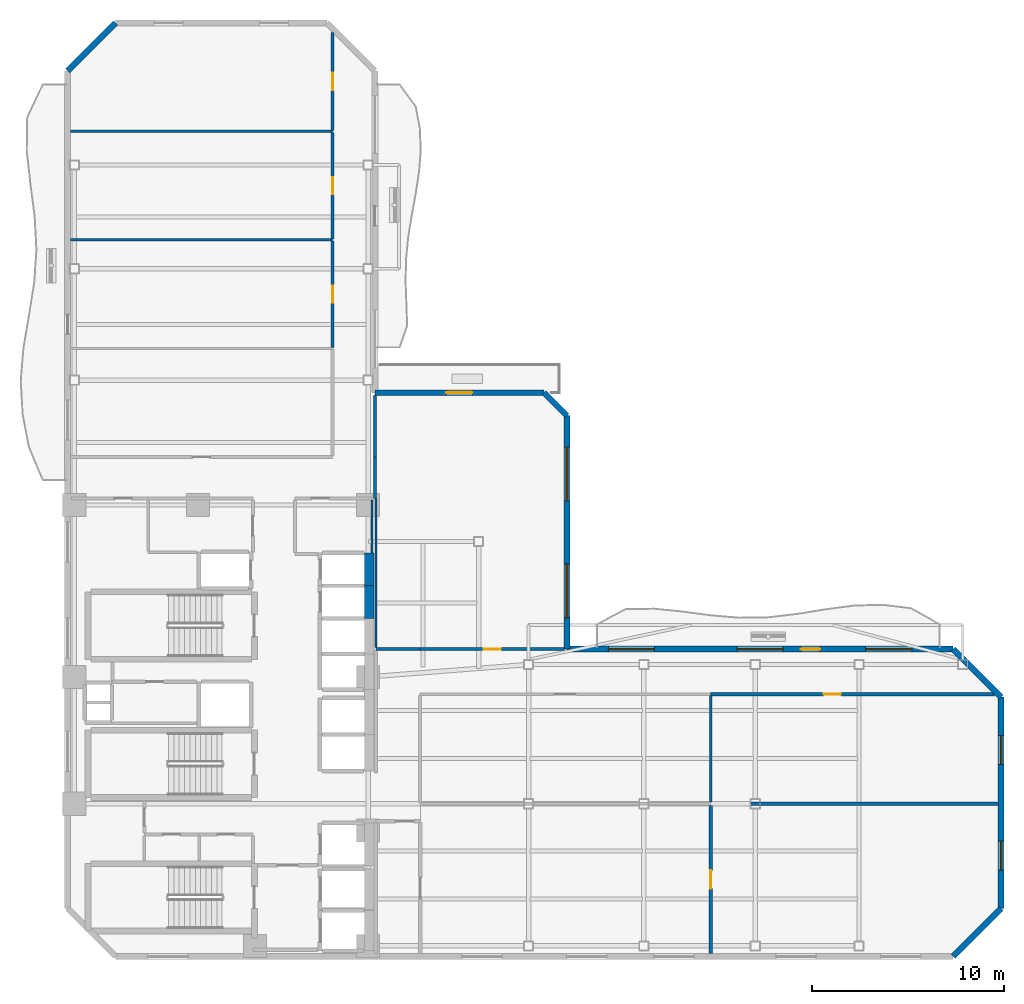
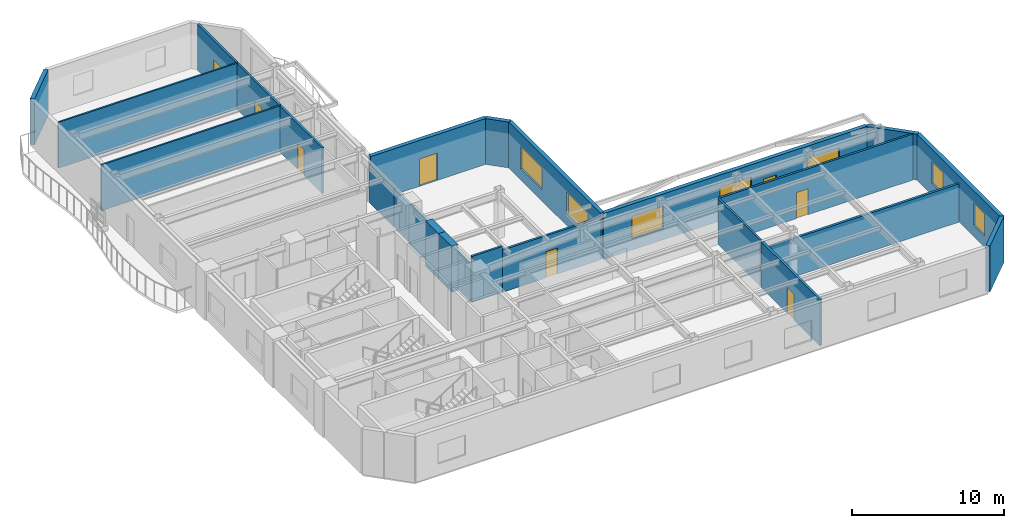
# One storey, part 5 of 9: 25 walls, 8 doors, 7 windows, 15 openings.
"""IFC4 building model written with IfcOpenShell, lengths in metres."""

import ifcopenshell
import ifcopenshell.guid

model = None  # the IFC model being written
_history = None  # IfcOwnerHistory: only IFC2X3 demands one
_inside = {}  # id of a spatial element -> (the spatial element, [elements in it])
_under = {}  # id of a project, library or spatial element -> (it, [spatial elements below it])
_declared = {}  # id of a project -> (the project, [libraries it declares])
_typed = {}  # id of a type object -> (the type object, [elements of that type])
_made_of = {}  # id of a material, layer set ... -> (it, [elements and type objects made of it])


def new_model(schema):
    """Start an empty IFC model of exactly this schema.

    Asked for "IFC4X3", IfcOpenShell would pick the latest addendum, in which some entities
    have other attributes; the version numbers below select the first issue.
    IFC2X3 requires an IfcOwnerHistory on every rooted entity: one is made here for all.
    """
    global model, _history
    if schema == "IFC4X3":
        model = ifcopenshell.file(schema_version=(4, 3, 0, 0))
    else:
        model = ifcopenshell.file(schema=schema)
    _inside.clear()
    _under.clear()
    _declared.clear()
    _typed.clear()
    _made_of.clear()
    _history = None
    if model.schema == "IFC2X3":
        org = make("IfcOrganization", Name="unknown")
        user = make(
            "IfcPersonAndOrganization",
            ThePerson=make("IfcPerson", FamilyName="unknown"),
            TheOrganization=org,
        )
        app = make(
            "IfcApplication",
            ApplicationDeveloper=org,
            Version="unknown",
            ApplicationFullName="unknown",
            ApplicationIdentifier="unknown",
        )
        _history = make(
            "IfcOwnerHistory",
            OwningUser=user,
            OwningApplication=app,
            ChangeAction="ADDED",
            CreationDate=0,
        )
    return model


def make(cls, **values):
    """One entity of the class cls with the attributes given. An attribute that is None is left unset."""
    return model.create_entity(
        cls, **{name: value for name, value in values.items() if value is not None}
    )


def rooted(cls, **values):
    """An entity with a GlobalId (a new one), such as an element, a storey or a relation."""
    return make(cls, GlobalId=ifcopenshell.guid.new(), OwnerHistory=_history, **values)


def si_unit(unit_type, name, prefix=None):
    """IfcSIUnit, for example si_unit("LENGTHUNIT", "METRE", prefix="MILLI")."""
    return make("IfcSIUnit", UnitType=unit_type, Prefix=prefix, Name=name)


def assignment(units):
    """IfcUnitAssignment: the units of a project."""
    return None if units is None else make("IfcUnitAssignment", Units=units)


def point(xyz):
    """IfcCartesianPoint."""
    return None if xyz is None else make("IfcCartesianPoint", Coordinates=xyz)


def direction(xyz):
    """IfcDirection."""
    return None if xyz is None else make("IfcDirection", DirectionRatios=xyz)


def frame(location, z_axis=None, x_axis=None):
    """IfcAxis2Placement3D, a coordinate frame: its origin and axes. An axis left out is left unset."""
    return make(
        "IfcAxis2Placement3D",
        Location=point(location),
        Axis=direction(z_axis),
        RefDirection=direction(x_axis),
    )


def frame_2d(location, x_axis=None):
    """IfcAxis2Placement2D, a coordinate frame in the plane: its origin and x axis."""
    return make(
        "IfcAxis2Placement2D", Location=point(location), RefDirection=direction(x_axis)
    )


def origin():
    """The frame at (0, 0, 0) with its axes left unset."""
    return frame((0.0, 0.0, 0.0))


def place(relative_to, where):
    """IfcLocalPlacement: puts the frame where relative to a parent placement (None: the world)."""
    return make(
        "IfcLocalPlacement", PlacementRelTo=relative_to, RelativePlacement=where
    )


def context(
    kind, dimensions, precision=None, world=None, true_north=None, identifier=None
):
    """IfcGeometricRepresentationContext, for example the 3D "Model" context."""
    return make(
        "IfcGeometricRepresentationContext",
        ContextIdentifier=identifier,
        ContextType=kind,
        CoordinateSpaceDimension=dimensions,
        Precision=precision,
        WorldCoordinateSystem=world,
        TrueNorth=true_north,
    )


def subcontext(parent, identifier, kind, view, scale=None):
    """IfcGeometricRepresentationSubContext, for example "Body" below "Model"."""
    return make(
        "IfcGeometricRepresentationSubContext",
        ContextIdentifier=identifier,
        ContextType=kind,
        ParentContext=parent,
        TargetScale=scale,
        TargetView=view,
    )


def project(units=None, contexts=None):
    """IfcProject with its units and contexts."""
    return rooted(
        "IfcProject",
        Name="project",
        RepresentationContexts=contexts,
        UnitsInContext=assignment(units),
    )


def spatial(cls, under=None, at=None, **own):
    """A site, building, storey or space (cls), placed at a placement, below another one or the project."""
    s = rooted(cls, ObjectPlacement=at, **own)
    if under is not None:
        _under.setdefault(under.id(), (under, []))[1].append(s)
    return s


def profile(cls, at=None, kind="AREA", **sizes):
    """A parametric profile (cls). Its sizes go by their IFC names, for example OverallWidth=200.0."""
    return make(cls, ProfileType=kind, Position=at, **sizes)


def rectangle(**sizes):
    """IfcRectangleProfileDef."""
    return profile("IfcRectangleProfileDef", **sizes)


def extrude(swept, where, along, depth):
    """IfcExtrudedAreaSolid: the profile swept, set in the frame where, extruded along a direction by depth."""
    return make(
        "IfcExtrudedAreaSolid",
        SweptArea=swept,
        Position=where,
        ExtrudedDirection=direction(along),
        Depth=depth,
    )


def shape(context_of_items, identifier, shape_type, items):
    """IfcShapeRepresentation: the items that make up one representation, for example the "Body"."""
    return make(
        "IfcShapeRepresentation",
        ContextOfItems=context_of_items,
        RepresentationIdentifier=identifier,
        RepresentationType=shape_type,
        Items=items,
    )


def material(Name=None, Category=None):
    """IfcMaterial."""
    return make("IfcMaterial", Name=Name, Category=Category)


def layer(
    of_material, thickness, ventilated=None, Name=None, Category=None, Priority=None
):
    """IfcMaterialLayer: one layer of a wall or slab, of a material (None: an air gap)."""
    return make(
        "IfcMaterialLayer",
        Material=of_material,
        LayerThickness=thickness,
        IsVentilated=ventilated,
        Name=Name,
        Category=Category,
        Priority=Priority,
    )


def layer_set(layers, Name=None):
    """IfcMaterialLayerSet."""
    return make("IfcMaterialLayerSet", MaterialLayers=layers, LayerSetName=Name)


def made_of(thing, what):
    """Note that an element or type object is made of a material, layer set ...; save() writes the relation."""
    if what is not None:
        _made_of.setdefault(what.id(), (what, []))[1].append(thing)
    return thing


def type_object(cls, material=None, **own):
    """A type object (cls), such as IfcWallType, which elements share."""
    return made_of(rooted(cls, **own), material)


def element(
    cls,
    number,
    at=None,
    inside=None,
    cuts=None,
    type_object=None,
    material=None,
    context=None,
    identifier="Body",
    shape_type=None,
    held_by="IfcProductDefinitionShape",
    body=None,
    shapes=None,
    **own,
):
    """One element of the class cls, such as IfcWall. Its Tag is "e" and its number.

    at: its placement. inside: the storey or other place that contains it. cuts: it is an
    opening in that element (IfcRelVoidsElement). A single representation is given by context,
    identifier, shape_type and body (its items); several are given by shapes. held_by: the class
    of the entity that holds the representations. save() writes the other relations.
    """
    e = rooted(cls, Tag="e%d" % number, ObjectPlacement=at, **own)
    if body is not None:
        shapes = [shape(context, identifier, shape_type, body)]
    if shapes is not None:
        e.Representation = make(held_by, Representations=shapes)
    if inside is not None:
        _inside.setdefault(inside.id(), (inside, []))[1].append(e)
    if cuts is not None:
        rooted(
            "IfcRelVoidsElement", RelatingBuildingElement=cuts, RelatedOpeningElement=e
        )
    if type_object is not None:
        _typed.setdefault(type_object.id(), (type_object, []))[1].append(e)
    return made_of(e, material)


def fill(opening, filler):
    """IfcRelFillsElement: the door or window that sits in an opening."""
    return rooted(
        "IfcRelFillsElement",
        RelatingOpeningElement=opening,
        RelatedBuildingElement=filler,
    )


def aggregate(whole, parts):
    """IfcRelAggregates: a whole, such as a stair, and the parts it consists of."""
    return rooted("IfcRelAggregates", RelatingObject=whole, RelatedObjects=parts)


def save(model, path):
    """Write the relations noted so far, then the file.

    IfcRelAggregates (storeys below a building ...), IfcRelContainedInSpatialStructure (elements
    in a storey), IfcRelDefinesByType, IfcRelAssociatesMaterial and IfcRelDeclares: one each for
    every whole, place, type object, material and project.
    """
    for whole, parts in _under.values():
        aggregate(whole, parts)
    for where, things in _inside.values():
        rooted(
            "IfcRelContainedInSpatialStructure",
            RelatedElements=things,
            RelatingStructure=where,
        )
    for kind, things in _typed.values():
        rooted("IfcRelDefinesByType", RelatedObjects=things, RelatingType=kind)
    for what, things in _made_of.values():
        rooted("IfcRelAssociatesMaterial", RelatedObjects=things, RelatingMaterial=what)
    for by, libraries in _declared.values():
        rooted("IfcRelDeclares", RelatingContext=by, RelatedDefinitions=libraries)
    model.write(path)


model = new_model("IFC4")

# Units and contexts
model_context = context("Model", 3, precision=1e-05, world=origin(), true_north=direction((0.0, 1.0)))
body_context = subcontext(model_context, "Body", "Model", "MODEL_VIEW")
ifc_project = project(units=[si_unit("LENGTHUNIT", "METRE"), si_unit("AREAUNIT", "SQUARE_METRE"), si_unit("VOLUMEUNIT", "CUBIC_METRE"), si_unit("PLANEANGLEUNIT", "RADIAN"), si_unit("MASSUNIT", "GRAM", prefix="KILO")], contexts=[model_context])

# Site, building, storey
site_placement = place(None, origin())
site = spatial("IfcSite", under=ifc_project, at=site_placement, CompositionType="ELEMENT")
building_placement = place(site_placement, origin())
building = spatial("IfcBuilding", under=site, at=building_placement, Name="Mawjaban Terraces University", CompositionType="ELEMENT")
storey_placement = place(building_placement, frame((0.0, 0.0, 115.10009765625)))
storey = spatial("IfcBuildingStorey", under=building, at=storey_placement, Name="L27", CompositionType="ELEMENT", Elevation=115.10009765625)

# Wall
ifc_material_1 = material(Name="Acoustic masonry blockwork", Category="masonry")
ifc_layer_1 = layer(ifc_material_1, 0.179931640625)
ifc_layer_set_1 = layer_set([ifc_layer_1], Name="Acoustic masonry blockwork")
wall_type_1 = type_object("IfcWallType", Name="AcousticStudioWall_180", PredefinedType="PARTITIONING", material=ifc_layer_set_1)
wall_1_placement = place(storey_placement, frame((70.455078125, 7.949951171875, 0.0), z_axis=(0.0, 0.0, 1.0), x_axis=(-1.0, 0.0, 0.0)))
element("IfcWall", 1, at=wall_1_placement, inside=storey, type_object=wall_type_1, Name="L27 Design Studio 4 Partition 22", PredefinedType="PARTITIONING", context=body_context, shape_type="SweptSolid", body=[
    extrude(rectangle(XDim=14.97509765625, YDim=0.179931640625, at=frame_2d((7.487548828125, 0.0))), origin(), (0.0, 0.0, 1.0), 3.072998046875),
])

# Wall, opening, door
wall_2_placement = place(storey_placement, frame((55.47998046875, 0.14501953125, 0.0), z_axis=(0.0, 0.0, 1.0), x_axis=(0.0, 1.0, 0.0)))
wall_2 = element("IfcWall", 2, at=wall_2_placement, inside=storey, type_object=wall_type_1, Name="L27 Computational Laboratory 2 Partition 43", PredefinedType="PARTITIONING", context=body_context, shape_type="SweptSolid", body=[
    extrude(rectangle(XDim=7.719970703125, YDim=0.179931640625, at=frame_2d((3.85986328125, 0.0))), origin(), (0.0, 0.0, 1.0), 3.68994140625),
])
opening_1_placement = place(wall_2_placement, frame((3.385009765625, 0.0, 0.0)))
opening_1 = element("IfcOpeningElement", 3, at=opening_1_placement, cuts=wall_2, Name="Opening ID-095", PredefinedType="OPENING", context=body_context, shape_type="SweptSolid", body=[
    extrude(rectangle(XDim=0.949951171875, YDim=2.10009765625, at=frame_2d((0.47509765625, 1.050048828125))), frame((0.0, 0.099853515625, 0.0), z_axis=(0.0, -1.0, 0.0), x_axis=(1.0, 0.0, 0.0)), (0.0, 0.0, 1.0), 0.199951171875),
])
ifc_material_2 = material(Name="Powder-coated steel frame and solid acoustic timber leaf", Category="steel")
door_type_1 = type_object("IfcDoorType", Name="StudioDoor_950x2100", OperationType="NOTDEFINED", PredefinedType="DOOR", material=ifc_material_2)
door_1_placement = place(opening_1_placement, origin())
door_1 = element("IfcDoor", 4, at=door_1_placement, inside=storey, type_object=door_type_1, Name="L27 Design Studio 4 Door", OperationType="SINGLE_SWING_LEFT", OverallHeight=2.10009765625, OverallWidth=0.949951171875, PredefinedType="DOOR", context=body_context, shape_type="SweptSolid", body=[
    extrude(rectangle(XDim=0.949951171875, YDim=2.10009765625, at=frame_2d((0.47509765625, 1.050048828125))), frame((0.0, 0.02490234375, 0.0), z_axis=(0.0, -1.0, 0.0), x_axis=(1.0, 0.0, 0.0)), (0.0, 0.0, 1.0), 0.050048828125),
])
fill(opening_1, door_1)

# Walls
ifc_material_3 = material(Name="Concrete C60/75", Category="concrete")
ifc_layer_2 = layer(ifc_material_3, 0.5)
ifc_layer_set_2 = layer_set([ifc_layer_2], Name="Concrete C60/75")
wall_type_2 = type_object("IfcWallType", Name="CoreShearWall_500", PredefinedType="SHEAR", material=ifc_layer_set_2)
for number, where, z_axis, x_axis, name in (
    (5, (37.699951171875, 17.60009765625, 0.0), (0.0, 0.0, 1.0), (0.0, 1.0, 0.0), "L27 Lift PL-M1 Hoistway Wall East"),
    (6, (37.699951171875, 19.300048828125, 0.0), (0.0, 0.0, 1.0), (0.0, 1.0, 0.0), "L27 Lift PL-M2 Hoistway Wall East"),
):
    element("IfcWall", number, at=place(storey_placement, frame(where, z_axis=z_axis, x_axis=x_axis)), inside=storey, type_object=wall_type_2, Name=name, PredefinedType="SHEAR", context=body_context, shape_type="SweptSolid", body=[
        extrude(rectangle(XDim=1.699951171875, YDim=0.5, at=frame_2d((0.85009765625, 0.0))), origin(), (0.0, 0.0, 1.0), 3.68994140625),
    ])
ifc_material_4 = material(Name="Fire-rated gypsum board on steel stud", Category="steel")
ifc_layer_3 = layer(ifc_material_4, 0.159912109375)
ifc_layer_set_3 = layer_set([ifc_layer_3], Name="Fire-rated gypsum board on steel stud")
wall_type_3 = type_object("IfcWallType", Name="CorridorPartition_160", PredefinedType="PARTITIONING", material=ifc_layer_set_3)
wall_3_placement = place(storey_placement, frame((40.35009765625, 16.0, 0.0), z_axis=(0.0, 0.0, 1.0), x_axis=(-1.0, 0.0, 0.0)))
element("IfcWall", 7, at=wall_3_placement, inside=storey, type_object=wall_type_3, Name="L27 Inner Gallery Link Corridor Partition 18", PredefinedType="PARTITIONING", context=body_context, shape_type="SweptSolid", body=[
    extrude(rectangle(XDim=2.300048828125, YDim=0.159912109375, at=frame_2d((1.14990234375, 0.0))), origin(), (0.0, 0.0, 1.0), 3.68994140625),
])

# Wall, opening, door
wall_4_placement = place(storey_placement, frame((40.35009765625, 16.0, 0.0), z_axis=(0.0, 0.0, 1.0), x_axis=(1.0, 0.0, 0.0)))
wall_4 = element("IfcWall", 8, at=wall_4_placement, inside=storey, type_object=wall_type_3, Name="L27 Terrace Collaborative Study Room Partition 19", PredefinedType="PARTITIONING", context=body_context, shape_type="SweptSolid", body=[
    extrude(rectangle(XDim=7.5087890625, YDim=0.159912109375, at=frame_2d((3.75439453125, 0.0))), origin(), (0.0, 0.0, 1.0), 3.389892578125),
])
opening_2_placement = place(wall_4_placement, frame((3.303955078125, 0.0, 0.0)))
opening_2 = element("IfcOpeningElement", 9, at=opening_2_placement, cuts=wall_4, Name="Opening ID-090", PredefinedType="OPENING", context=body_context, shape_type="SweptSolid", body=[
    extrude(rectangle(XDim=0.89990234375, YDim=2.10009765625, at=frame_2d((0.449951171875, 1.050048828125))), frame((0.0, 0.08984375, 0.0), z_axis=(0.0, -1.0, 0.0), x_axis=(1.0, 0.0, 0.0)), (0.0, 0.0, 1.0), 0.179931640625),
])
door_type_2 = type_object("IfcDoorType", Name="OfficeDoor_900x2100", OperationType="NOTDEFINED", PredefinedType="DOOR", material=ifc_material_2)
door_2_placement = place(opening_2_placement, origin())
door_2 = element("IfcDoor", 10, at=door_2_placement, inside=storey, type_object=door_type_2, Name="L27 Terrace Collaborative Study Room Door", OperationType="SINGLE_SWING_LEFT", OverallHeight=2.10009765625, OverallWidth=0.89990234375, PredefinedType="DOOR", context=body_context, shape_type="SweptSolid", body=[
    extrude(rectangle(XDim=0.89990234375, YDim=2.10009765625, at=frame_2d((0.449951171875, 1.050048828125))), frame((0.0, 0.02490234375, 0.0), z_axis=(0.0, -1.0, 0.0), x_axis=(1.0, 0.0, 0.0)), (0.0, 0.0, 1.0), 0.050048828125),
])
fill(opening_2, door_2)

wall_5_placement = place(storey_placement, frame((55.47998046875, 13.64990234375, 0.0), z_axis=(0.0, 0.0, 1.0), x_axis=(1.0, 0.0, 0.0)))
wall_5 = element("IfcWall", 11, at=wall_5_placement, inside=storey, type_object=wall_type_3, Name="L27 Inner Terrace Gallery Corridor East Partition 21", PredefinedType="PARTITIONING", context=body_context, shape_type="SweptSolid", body=[
    extrude(rectangle(XDim=14.76513671875, YDim=0.159912109375, at=frame_2d((7.382568359375, 0.0))), origin(), (0.0, 0.0, 1.0), 3.68994140625),
])
opening_3_placement = place(wall_5_placement, frame((5.883056640625, 0.0, 0.0)))
opening_3 = element("IfcOpeningElement", 12, at=opening_3_placement, cuts=wall_5, Name="Opening ID-090", PredefinedType="OPENING", context=body_context, shape_type="SweptSolid", body=[
    extrude(rectangle(XDim=0.89990234375, YDim=2.10009765625, at=frame_2d((0.449951171875, 1.050048828125))), frame((0.0, 0.08984375, 0.0), z_axis=(0.0, -1.0, 0.0), x_axis=(1.0, 0.0, 0.0)), (0.0, 0.0, 1.0), 0.179931640625),
])
door_3_placement = place(opening_3_placement, origin())
door_3 = element("IfcDoor", 13, at=door_3_placement, inside=storey, type_object=door_type_2, Name="L27 Faculty Office 5 Door", OperationType="SINGLE_SWING_RIGHT", OverallHeight=2.10009765625, OverallWidth=0.89990234375, PredefinedType="DOOR", context=body_context, shape_type="SweptSolid", body=[
    extrude(rectangle(XDim=0.89990234375, YDim=2.10009765625, at=frame_2d((0.449951171875, 1.050048828125))), frame((0.0, 0.02490234375, 0.0), z_axis=(0.0, -1.0, 0.0), x_axis=(1.0, 0.0, 0.0)), (0.0, 0.0, 1.0), 0.050048828125),
])
fill(opening_3, door_3)

wall_6_placement = place(storey_placement, frame((35.800048828125, 37.241943359375, 0.0), z_axis=(0.0, 0.0, 1.0), x_axis=(0.0, -1.0, 0.0)))
wall_6 = element("IfcWall", 14, at=wall_6_placement, inside=storey, type_object=wall_type_3, Name="L27 Inner Terrace Gallery Corridor North Partition 32", PredefinedType="PARTITIONING", context=body_context, shape_type="SweptSolid", body=[
    extrude(rectangle(XDim=5.534912109375, YDim=0.159912109375, at=frame_2d((2.767578125, 0.0))), origin(), (0.0, 0.0, 1.0), 3.68994140625),
])
opening_4_placement = place(wall_6_placement, frame((2.31689453125, 0.0, 0.0)))
opening_4 = element("IfcOpeningElement", 15, at=opening_4_placement, cuts=wall_6, Name="Opening ID-090", PredefinedType="OPENING", context=body_context, shape_type="SweptSolid", body=[
    extrude(rectangle(XDim=0.89990234375, YDim=2.10009765625, at=frame_2d((0.449951171875, 1.050048828125))), frame((0.0, 0.08984375, 0.0), z_axis=(0.0, -1.0, 0.0), x_axis=(1.0, 0.0, 0.0)), (0.0, 0.0, 1.0), 0.179931640625),
])
door_4_placement = place(opening_4_placement, origin())
door_4 = element("IfcDoor", 16, at=door_4_placement, inside=storey, type_object=door_type_2, Name="L27 Academic Workspace 7 Door", OperationType="SINGLE_SWING_RIGHT", OverallHeight=2.10009765625, OverallWidth=0.89990234375, PredefinedType="DOOR", context=body_context, shape_type="SweptSolid", body=[
    extrude(rectangle(XDim=0.89990234375, YDim=2.10009765625, at=frame_2d((0.449951171875, 1.050048828125))), frame((0.0, 0.02490234375, 0.0), z_axis=(0.0, -1.0, 0.0), x_axis=(1.0, 0.0, 0.0)), (0.0, 0.0, 1.0), 0.050048828125),
])
fill(opening_4, door_4)

wall_7_placement = place(storey_placement, frame((35.800048828125, 42.89306640625, 0.0), z_axis=(0.0, 0.0, 1.0), x_axis=(0.0, -1.0, 0.0)))
wall_7 = element("IfcWall", 17, at=wall_7_placement, inside=storey, type_object=wall_type_3, Name="L27 Inner Terrace Gallery Corridor North Partition 33", PredefinedType="PARTITIONING", context=body_context, shape_type="SweptSolid", body=[
    extrude(rectangle(XDim=5.5361328125, YDim=0.159912109375, at=frame_2d((2.76806640625, 0.0))), origin(), (0.0, 0.0, 1.0), 3.68994140625),
])
opening_5_placement = place(wall_7_placement, frame((2.318115234375, 0.0, 0.0)))
opening_5 = element("IfcOpeningElement", 18, at=opening_5_placement, cuts=wall_7, Name="Opening ID-090", PredefinedType="OPENING", context=body_context, shape_type="SweptSolid", body=[
    extrude(rectangle(XDim=0.89990234375, YDim=2.10009765625, at=frame_2d((0.449951171875, 1.050048828125))), frame((0.0, 0.08984375, 0.0), z_axis=(0.0, -1.0, 0.0), x_axis=(1.0, 0.0, 0.0)), (0.0, 0.0, 1.0), 0.179931640625),
])
door_5_placement = place(opening_5_placement, origin())
door_5 = element("IfcDoor", 19, at=door_5_placement, inside=storey, type_object=door_type_2, Name="L27 Faculty Office 8 Door", OperationType="SINGLE_SWING_LEFT", OverallHeight=2.10009765625, OverallWidth=0.89990234375, PredefinedType="DOOR", context=body_context, shape_type="SweptSolid", body=[
    extrude(rectangle(XDim=0.89990234375, YDim=2.10009765625, at=frame_2d((0.449951171875, 1.050048828125))), frame((0.0, 0.02490234375, 0.0), z_axis=(0.0, -1.0, 0.0), x_axis=(1.0, 0.0, 0.0)), (0.0, 0.0, 1.0), 0.050048828125),
])
fill(opening_5, door_5)

wall_8_placement = place(storey_placement, frame((35.800048828125, 48.094970703125, 0.0), z_axis=(0.0, 0.0, 1.0), x_axis=(0.0, -1.0, 0.0)))
wall_8 = element("IfcWall", 20, at=wall_8_placement, inside=storey, type_object=wall_type_3, Name="L27 Inner Terrace Gallery Corridor North Partition 34", PredefinedType="PARTITIONING", context=body_context, shape_type="SweptSolid", body=[
    extrude(rectangle(XDim=5.0869140625, YDim=0.159912109375, at=frame_2d((2.54345703125, 0.0))), origin(), (0.0, 0.0, 1.0), 3.68994140625),
])
opening_6_placement = place(wall_8_placement, frame((2.093017578125, 0.0, 0.0)))
opening_6 = element("IfcOpeningElement", 21, at=opening_6_placement, cuts=wall_8, Name="Opening ID-090", PredefinedType="OPENING", context=body_context, shape_type="SweptSolid", body=[
    extrude(rectangle(XDim=0.89990234375, YDim=2.10009765625, at=frame_2d((0.449951171875, 1.050048828125))), frame((0.0, 0.08984375, 0.0), z_axis=(0.0, -1.0, 0.0), x_axis=(1.0, 0.0, 0.0)), (0.0, 0.0, 1.0), 0.179931640625),
])
door_6_placement = place(opening_6_placement, origin())
door_6 = element("IfcDoor", 22, at=door_6_placement, inside=storey, type_object=door_type_2, Name="L27 Departmental Office 9 Door", OperationType="SINGLE_SWING_RIGHT", OverallHeight=2.10009765625, OverallWidth=0.89990234375, PredefinedType="DOOR", context=body_context, shape_type="SweptSolid", body=[
    extrude(rectangle(XDim=0.89990234375, YDim=2.10009765625, at=frame_2d((0.449951171875, 1.050048828125))), frame((0.0, 0.02490234375, 0.0), z_axis=(0.0, -1.0, 0.0), x_axis=(1.0, 0.0, 0.0)), (0.0, 0.0, 1.0), 0.050048828125),
])
fill(opening_6, door_6)

# Walls
wall_9_placement = place(storey_placement, frame((38.0, 23.85009765625, 0.0), z_axis=(0.0, 0.0, 1.0), x_axis=(0.0, 1.0, 0.0)))
element("IfcWall", 23, at=wall_9_placement, inside=storey, type_object=wall_type_3, Name="L27 North Core Cross-Corridor Partition 36", PredefinedType="PARTITIONING", context=body_context, shape_type="SweptSolid", body=[
    extrude(rectangle(XDim=2.14990234375, YDim=0.159912109375, at=frame_2d((1.074951171875, 0.0))), origin(), (0.0, 0.0, 1.0), 3.072998046875),
])
wall_10_placement = place(storey_placement, frame((38.0, 26.0, 0.0), z_axis=(0.0, 0.0, 1.0), x_axis=(0.0, 1.0, 0.0)))
element("IfcWall", 24, at=wall_10_placement, inside=storey, type_object=wall_type_3, Name="L27 Inner Terrace Gallery Corridor North Partition 37", PredefinedType="PARTITIONING", context=body_context, shape_type="SweptSolid", body=[
    extrude(rectangle(XDim=3.205078125, YDim=0.159912109375, at=frame_2d((1.6025390625, 0.0))), origin(), (0.0, 0.0, 1.0), 3.072998046875),
])
ifc_material_5 = material(Name="Insulated terracotta rainscreen on concrete backup C40/50", Category="masonry")
ifc_layer_4 = layer(ifc_material_5, 0.300048828125)
ifc_layer_set_4 = layer_set([ifc_layer_4], Name="Insulated terracotta rainscreen on concrete backup C40/50")
wall_type_4 = type_object("IfcWallType", Name="ExtTerracottaWall_300", PredefinedType="SOLIDWALL", material=ifc_layer_set_4)
wall_11_placement = place(storey_placement, frame((68.10009765625, 0.0, 0.0), z_axis=(0.0, 0.0, 1.0), x_axis=(0.707106781187, 0.707106781187, 0.0)))
element("IfcWall", 25, at=wall_11_placement, inside=storey, type_object=wall_type_4, Name="L27 Exterior Terracotta Wall 2", PredefinedType="SOLIDWALL", context=body_context, shape_type="SweptSolid", body=[
    extrude(rectangle(XDim=3.53564453125, YDim=0.300048828125, at=frame_2d((1.767822265625, 0.0))), origin(), (0.0, 0.0, 1.0), 3.68994140625),
])

# Wall, openings, windows
wall_12_placement = place(storey_placement, frame((70.60009765625, 2.5, 0.0), z_axis=(0.0, 0.0, 1.0), x_axis=(0.0, 1.0, 0.0)))
wall_12 = element("IfcWall", 26, at=wall_12_placement, inside=storey, type_object=wall_type_4, Name="L27 Exterior Terracotta Wall 3", PredefinedType="SOLIDWALL", context=body_context, shape_type="SweptSolid", body=[
    extrude(rectangle(XDim=11.0, YDim=0.300048828125, at=frame_2d((5.5, 0.0))), origin(), (0.0, 0.0, 1.0), 3.68994140625),
])
opening_7_placement = place(wall_12_placement, frame((2.0, 0.0, 0.89990234375)))
opening_7 = element("IfcOpeningElement", 27, at=opening_7_placement, cuts=wall_12, Name="Opening W-06", PredefinedType="OPENING", context=body_context, shape_type="SweptSolid", body=[
    extrude(rectangle(XDim=1.5, YDim=1.800048828125, at=frame_2d((0.75, 0.89990234375))), frame((0.0, 0.159912109375, 0.0), z_axis=(0.0, -1.0, 0.0), x_axis=(1.0, 0.0, 0.0)), (0.0, 0.0, 1.0), 0.320068359375),
])
opening_8_placement = place(wall_12_placement, frame((7.5, 0.0, 0.89990234375)))
opening_8 = element("IfcOpeningElement", 28, at=opening_8_placement, cuts=wall_12, Name="Opening W-06", PredefinedType="OPENING", context=body_context, shape_type="SweptSolid", body=[
    extrude(rectangle(XDim=1.5, YDim=1.800048828125, at=frame_2d((0.75, 0.89990234375))), frame((0.0, 0.159912109375, 0.0), z_axis=(0.0, -1.0, 0.0), x_axis=(1.0, 0.0, 0.0)), (0.0, 0.0, 1.0), 0.320068359375),
])
ifc_material_6 = material(Name="Low-E solar-control double glazing in thermally broken aluminium frame", Category="aluminium")
window_type_1 = type_object("IfcWindowType", Name="Win_1500x1800", PartitioningType="SINGLE_PANEL", PredefinedType="WINDOW", material=ifc_material_6)
window_1_placement = place(opening_7_placement, origin())
window_1 = element("IfcWindow", 29, at=window_1_placement, inside=storey, type_object=window_type_1, Name="L27 Facade Window 3.1", OverallHeight=1.800048828125, OverallWidth=1.5, PartitioningType="SINGLE_PANEL", PredefinedType="WINDOW", context=body_context, shape_type="SweptSolid", body=[
    extrude(rectangle(XDim=1.5, YDim=1.800048828125, at=frame_2d((0.75, 0.89990234375))), frame((0.0, 0.030029296875, 0.0), z_axis=(0.0, -1.0, 0.0), x_axis=(1.0, 0.0, 0.0)), (0.0, 0.0, 1.0), 0.06005859375),
])
fill(opening_7, window_1)
window_2_placement = place(opening_8_placement, origin())
window_2 = element("IfcWindow", 30, at=window_2_placement, inside=storey, type_object=window_type_1, Name="L27 Facade Window 3.2", OverallHeight=1.800048828125, OverallWidth=1.5, PartitioningType="SINGLE_PANEL", PredefinedType="WINDOW", context=body_context, shape_type="SweptSolid", body=[
    extrude(rectangle(XDim=1.5, YDim=1.800048828125, at=frame_2d((0.75, 0.89990234375))), frame((0.0, 0.030029296875, 0.0), z_axis=(0.0, -1.0, 0.0), x_axis=(1.0, 0.0, 0.0)), (0.0, 0.0, 1.0), 0.06005859375),
])
fill(opening_8, window_2)

# Wall
wall_13_placement = place(storey_placement, frame((70.60009765625, 13.5, 0.0), z_axis=(0.0, 0.0, 1.0), x_axis=(-0.707106781187, 0.707106781187, 0.0)))
element("IfcWall", 31, at=wall_13_placement, inside=storey, type_object=wall_type_4, Name="L27 Exterior Terracotta Wall 4", PredefinedType="SOLIDWALL", context=body_context, shape_type="SweptSolid", body=[
    extrude(rectangle(XDim=3.53564453125, YDim=0.300048828125, at=frame_2d((1.767822265625, 0.0))), origin(), (0.0, 0.0, 1.0), 3.68994140625),
])

# Wall, openings, door, windows
wall_14_placement = place(storey_placement, frame((68.10009765625, 16.0, 0.0), z_axis=(0.0, 0.0, 1.0), x_axis=(-1.0, 0.0, 0.0)))
wall_14 = element("IfcWall", 32, at=wall_14_placement, inside=storey, type_object=wall_type_4, Name="L27 Exterior Terracotta Wall 5", PredefinedType="SOLIDWALL", context=body_context, shape_type="SweptSolid", body=[
    extrude(rectangle(XDim=20.09619140625, YDim=0.300048828125, at=frame_2d((10.048095703125, 0.0))), origin(), (0.0, 0.0, 1.0), 3.68994140625),
])
opening_9_placement = place(wall_14_placement, frame((6.922119140625, 0.0, 0.0)))
opening_9 = element("IfcOpeningElement", 33, at=opening_9_placement, cuts=wall_14, Name="Opening BD-100", PredefinedType="OPENING", context=body_context, shape_type="SweptSolid", body=[
    extrude(rectangle(XDim=1.0, YDim=2.199951171875, at=frame_2d((0.5, 1.10009765625))), frame((0.0, 0.159912109375, 0.0), z_axis=(0.0, -1.0, 0.0), x_axis=(1.0, 0.0, 0.0)), (0.0, 0.0, 1.0), 0.320068359375),
])
opening_10_placement = place(wall_14_placement, frame((2.14892578125, 0.0, 0.89990234375)))
opening_10 = element("IfcOpeningElement", 34, at=opening_10_placement, cuts=wall_14, Name="Opening W-08", PredefinedType="OPENING", context=body_context, shape_type="SweptSolid", body=[
    extrude(rectangle(XDim=2.39990234375, YDim=1.800048828125, at=frame_2d((1.199951171875, 0.89990234375))), frame((0.0, 0.159912109375, 0.0), z_axis=(0.0, -1.0, 0.0), x_axis=(1.0, 0.0, 0.0)), (0.0, 0.0, 1.0), 0.320068359375),
])
opening_11_placement = place(wall_14_placement, frame((8.847900390625, 0.0, 0.89990234375)))
opening_11 = element("IfcOpeningElement", 35, at=opening_11_placement, cuts=wall_14, Name="Opening W-08", PredefinedType="OPENING", context=body_context, shape_type="SweptSolid", body=[
    extrude(rectangle(XDim=2.39990234375, YDim=1.800048828125, at=frame_2d((1.199951171875, 0.89990234375))), frame((0.0, 0.159912109375, 0.0), z_axis=(0.0, -1.0, 0.0), x_axis=(1.0, 0.0, 0.0)), (0.0, 0.0, 1.0), 0.320068359375),
])
opening_12_placement = place(wall_14_placement, frame((15.547119140625, 0.0, 0.89990234375)))
opening_12 = element("IfcOpeningElement", 36, at=opening_12_placement, cuts=wall_14, Name="Opening W-08", PredefinedType="OPENING", context=body_context, shape_type="SweptSolid", body=[
    extrude(rectangle(XDim=2.39990234375, YDim=1.800048828125, at=frame_2d((1.199951171875, 0.89990234375))), frame((0.0, 0.159912109375, 0.0), z_axis=(0.0, -1.0, 0.0), x_axis=(1.0, 0.0, 0.0)), (0.0, 0.0, 1.0), 0.320068359375),
])
ifc_material_7 = material(Name="Thermally broken anodised aluminium and laminated safety glass", Category="aluminium")
door_type_3 = type_object("IfcDoorType", Name="BalconyGlazedDoor_1000x2200", OperationType="NOTDEFINED", PredefinedType="DOOR", material=ifc_material_7)
door_7_placement = place(opening_9_placement, origin())
door_7 = element("IfcDoor", 37, at=door_7_placement, inside=storey, type_object=door_type_3, Name="L27 Balcony Access Door inner_north", OperationType="SINGLE_SWING_RIGHT", OverallHeight=2.199951171875, OverallWidth=1.0, PredefinedType="DOOR", context=body_context, shape_type="SweptSolid", body=[
    extrude(rectangle(XDim=1.0, YDim=2.199951171875, at=frame_2d((0.5, 1.10009765625))), frame((0.0, 0.02490234375, 0.0), z_axis=(0.0, -1.0, 0.0), x_axis=(1.0, 0.0, 0.0)), (0.0, 0.0, 1.0), 0.050048828125),
])
fill(opening_9, door_7)
window_type_2 = type_object("IfcWindowType", Name="Win_2400x1800", PartitioningType="SINGLE_PANEL", PredefinedType="WINDOW", material=ifc_material_6)
window_3_placement = place(opening_10_placement, origin())
window_3 = element("IfcWindow", 38, at=window_3_placement, inside=storey, type_object=window_type_2, Name="L27 Facade Window 5.1", OverallHeight=1.800048828125, OverallWidth=2.39990234375, PartitioningType="SINGLE_PANEL", PredefinedType="WINDOW", context=body_context, shape_type="SweptSolid", body=[
    extrude(rectangle(XDim=2.39990234375, YDim=1.800048828125, at=frame_2d((1.199951171875, 0.89990234375))), frame((0.0, 0.030029296875, 0.0), z_axis=(0.0, -1.0, 0.0), x_axis=(1.0, 0.0, 0.0)), (0.0, 0.0, 1.0), 0.06005859375),
])
fill(opening_10, window_3)
window_4_placement = place(opening_11_placement, origin())
window_4 = element("IfcWindow", 39, at=window_4_placement, inside=storey, type_object=window_type_2, Name="L27 Facade Window 5.2", OverallHeight=1.800048828125, OverallWidth=2.39990234375, PartitioningType="SINGLE_PANEL", PredefinedType="WINDOW", context=body_context, shape_type="SweptSolid", body=[
    extrude(rectangle(XDim=2.39990234375, YDim=1.800048828125, at=frame_2d((1.199951171875, 0.89990234375))), frame((0.0, 0.030029296875, 0.0), z_axis=(0.0, -1.0, 0.0), x_axis=(1.0, 0.0, 0.0)), (0.0, 0.0, 1.0), 0.06005859375),
])
fill(opening_11, window_4)
window_5_placement = place(opening_12_placement, origin())
window_5 = element("IfcWindow", 40, at=window_5_placement, inside=storey, type_object=window_type_2, Name="L27 Facade Window 5.3", OverallHeight=1.800048828125, OverallWidth=2.39990234375, PartitioningType="SINGLE_PANEL", PredefinedType="WINDOW", context=body_context, shape_type="SweptSolid", body=[
    extrude(rectangle(XDim=2.39990234375, YDim=1.800048828125, at=frame_2d((1.199951171875, 0.89990234375))), frame((0.0, 0.030029296875, 0.0), z_axis=(0.0, -1.0, 0.0), x_axis=(1.0, 0.0, 0.0)), (0.0, 0.0, 1.0), 0.06005859375),
])
fill(opening_12, window_5)

# Wall, openings, windows
wall_15_placement = place(storey_placement, frame((48.00390625, 16.0, 0.0), z_axis=(0.0, 0.0, 1.0), x_axis=(0.0, 1.0, 0.0)))
wall_15 = element("IfcWall", 41, at=wall_15_placement, inside=storey, type_object=wall_type_4, Name="L27 Exterior Terracotta Wall 6", PredefinedType="SOLIDWALL", context=body_context, shape_type="SweptSolid", body=[
    extrude(rectangle(XDim=12.14990234375, YDim=0.300048828125, at=frame_2d((6.074951171875, 0.0))), origin(), (0.0, 0.0, 1.0), 3.68994140625),
])
opening_13_placement = place(wall_15_placement, frame((1.636962890625, 0.0, 0.89990234375)))
opening_13 = element("IfcOpeningElement", 42, at=opening_13_placement, cuts=wall_15, Name="Opening W-09", PredefinedType="OPENING", context=body_context, shape_type="SweptSolid", body=[
    extrude(rectangle(XDim=2.800048828125, YDim=1.800048828125, at=frame_2d((1.39990234375, 0.89990234375))), frame((0.0, 0.159912109375, 0.0), z_axis=(0.0, -1.0, 0.0), x_axis=(1.0, 0.0, 0.0)), (0.0, 0.0, 1.0), 0.320068359375),
])
opening_14_placement = place(wall_15_placement, frame((7.7119140625, 0.0, 0.89990234375)))
opening_14 = element("IfcOpeningElement", 43, at=opening_14_placement, cuts=wall_15, Name="Opening W-09", PredefinedType="OPENING", context=body_context, shape_type="SweptSolid", body=[
    extrude(rectangle(XDim=2.800048828125, YDim=1.800048828125, at=frame_2d((1.39990234375, 0.89990234375))), frame((0.0, 0.159912109375, 0.0), z_axis=(0.0, -1.0, 0.0), x_axis=(1.0, 0.0, 0.0)), (0.0, 0.0, 1.0), 0.320068359375),
])
window_type_3 = type_object("IfcWindowType", Name="Win_2800x1800", PartitioningType="SINGLE_PANEL", PredefinedType="WINDOW", material=ifc_material_6)
window_6_placement = place(opening_13_placement, origin())
window_6 = element("IfcWindow", 44, at=window_6_placement, inside=storey, type_object=window_type_3, Name="L27 Facade Window 6.1", OverallHeight=1.800048828125, OverallWidth=2.800048828125, PartitioningType="SINGLE_PANEL", PredefinedType="WINDOW", context=body_context, shape_type="SweptSolid", body=[
    extrude(rectangle(XDim=2.800048828125, YDim=1.800048828125, at=frame_2d((1.39990234375, 0.89990234375))), frame((0.0, 0.030029296875, 0.0), z_axis=(0.0, -1.0, 0.0), x_axis=(1.0, 0.0, 0.0)), (0.0, 0.0, 1.0), 0.06005859375),
])
fill(opening_13, window_6)
window_7_placement = place(opening_14_placement, origin())
window_7 = element("IfcWindow", 45, at=window_7_placement, inside=storey, type_object=window_type_3, Name="L27 Facade Window 6.2", OverallHeight=1.800048828125, OverallWidth=2.800048828125, PartitioningType="SINGLE_PANEL", PredefinedType="WINDOW", context=body_context, shape_type="SweptSolid", body=[
    extrude(rectangle(XDim=2.800048828125, YDim=1.800048828125, at=frame_2d((1.39990234375, 0.89990234375))), frame((0.0, 0.030029296875, 0.0), z_axis=(0.0, -1.0, 0.0), x_axis=(1.0, 0.0, 0.0)), (0.0, 0.0, 1.0), 0.06005859375),
])
fill(opening_14, window_7)

# Wall
wall_16_placement = place(storey_placement, frame((48.00390625, 28.14990234375, 0.0), z_axis=(0.0, 0.0, 1.0), x_axis=(-0.707034851297, 0.707178703759, 0.0)))
element("IfcWall", 46, at=wall_16_placement, inside=storey, type_object=wall_type_4, Name="L27 Exterior Terracotta Wall 7", PredefinedType="SOLIDWALL", context=body_context, shape_type="SweptSolid", body=[
    extrude(rectangle(XDim=1.697265625, YDim=0.300048828125, at=frame_2d((0.8486328125, 0.0))), origin(), (0.0, 0.0, 1.0), 3.68994140625),
])

# Wall, opening, door
wall_17_placement = place(storey_placement, frame((46.803955078125, 29.35009765625, 0.0), z_axis=(0.0, 0.0, 1.0), x_axis=(-1.0, 0.0, 0.0)))
wall_17 = element("IfcWall", 47, at=wall_17_placement, inside=storey, type_object=wall_type_4, Name="L27 Exterior Terracotta Wall 8", PredefinedType="SOLIDWALL", context=body_context, shape_type="SweptSolid", body=[
    extrude(rectangle(XDim=8.803955078125, YDim=0.300048828125, at=frame_2d((4.40185546875, 0.0))), origin(), (0.0, 0.0, 1.0), 3.68994140625),
])
opening_15_placement = place(wall_17_placement, frame((3.72705078125, 0.0, 0.0)))
opening_15 = element("IfcOpeningElement", 48, at=opening_15_placement, cuts=wall_17, Name="Opening TD-135", PredefinedType="OPENING", context=body_context, shape_type="SweptSolid", body=[
    extrude(rectangle(XDim=1.35009765625, YDim=2.199951171875, at=frame_2d((0.675048828125, 1.10009765625))), frame((0.0, 0.159912109375, 0.0), z_axis=(0.0, -1.0, 0.0), x_axis=(1.0, 0.0, 0.0)), (0.0, 0.0, 1.0), 0.320068359375),
])
door_type_4 = type_object("IfcDoorType", Name="TerraceGlazedDoor_1350x2200", OperationType="NOTDEFINED", PredefinedType="DOOR", material=ifc_material_7)
door_8_placement = place(opening_15_placement, origin())
door_8 = element("IfcDoor", 49, at=door_8_placement, inside=storey, type_object=door_type_4, Name="L27 Terrace Access Door TER-L27-CLIMB", OperationType="SINGLE_SWING_LEFT", OverallHeight=2.199951171875, OverallWidth=1.35009765625, PredefinedType="DOOR", context=body_context, shape_type="SweptSolid", body=[
    extrude(rectangle(XDim=1.35009765625, YDim=2.199951171875, at=frame_2d((0.675048828125, 1.10009765625))), frame((0.0, 0.02490234375, 0.0), z_axis=(0.0, -1.0, 0.0), x_axis=(1.0, 0.0, 0.0)), (0.0, 0.0, 1.0), 0.050048828125),
])
fill(opening_15, door_8)

# Walls
wall_18_placement = place(storey_placement, frame((24.5, 48.60009765625, 0.0), z_axis=(0.0, 0.0, 1.0), x_axis=(-0.707106781187, -0.707106781187, 0.0)))
element("IfcWall", 50, at=wall_18_placement, inside=storey, type_object=wall_type_4, Name="L27 Exterior Terracotta Wall 12", PredefinedType="SOLIDWALL", context=body_context, shape_type="SweptSolid", body=[
    extrude(rectangle(XDim=3.53564453125, YDim=0.300048828125, at=frame_2d((1.767822265625, 0.0))), origin(), (0.0, 0.0, 1.0), 3.68994140625),
])
ifc_material_8 = material(Name="Moisture-resistant gypsum board on steel stud", Category="steel")
ifc_layer_5 = layer(ifc_material_8, 0.14501953125)
ifc_layer_set_5 = layer_set([ifc_layer_5], Name="Moisture-resistant gypsum board on steel stud")
wall_type_5 = type_object("IfcWallType", Name="LabPartition_145", PredefinedType="PARTITIONING", material=ifc_layer_set_5)
wall_19_placement = place(storey_placement, frame((55.47998046875, 8.034912109375, 0.0), z_axis=(0.0, 0.0, 1.0), x_axis=(0.0, 1.0, 0.0)))
element("IfcWall", 51, at=wall_19_placement, inside=storey, type_object=wall_type_5, Name="L27 Teaching Laboratory 3 Partition 44", PredefinedType="PARTITIONING", context=body_context, shape_type="SweptSolid", body=[
    extrude(rectangle(XDim=5.5400390625, YDim=0.14501953125, at=frame_2d((2.77001953125, 0.0))), origin(), (0.0, 0.0, 1.0), 3.68994140625),
])
ifc_material_9 = material(Name="Gypsum plasterboard on steel stud", Category="steel")
ifc_layer_6 = layer(ifc_material_9, 0.125)
ifc_layer_set_6 = layer_set([ifc_layer_6], Name="Gypsum plasterboard on steel stud")
wall_type_6 = type_object("IfcWallType", Name="OfficePartition_125", PredefinedType="PARTITIONING", material=ifc_layer_set_6)
for number, where, z_axis, x_axis, name in (
    (52, (35.800048828125, 37.300048828125, 0.0), (0.0, 0.0, 1.0), (-1.0, 0.0, 0.0), "L27 Academic Workspace 7 Partition 13"),
    (53, (35.800048828125, 42.949951171875, 0.0), (0.0, 0.0, 1.0), (-1.0, 0.0, 0.0), "L27 Faculty Office 8 Partition 14"),
):
    element("IfcWall", number, at=place(storey_placement, frame(where, z_axis=z_axis, x_axis=x_axis)), inside=storey, type_object=wall_type_6, Name=name, PredefinedType="PARTITIONING", context=body_context, shape_type="SweptSolid", body=[
        extrude(rectangle(XDim=13.655029296875, YDim=0.125, at=frame_2d((6.82763671875, 0.0))), origin(), (0.0, 0.0, 1.0), 3.68994140625),
    ])
wall_20_placement = place(storey_placement, frame((37.85009765625, 21.0, 0.0), z_axis=(0.0, 0.0, 1.0), x_axis=(0.0, 1.0, 0.0)))
element("IfcWall", 54, at=wall_20_placement, inside=storey, type_object=wall_type_6, Name="L27 Departmental Resource Seminar Room Partition 35", PredefinedType="PARTITIONING", context=body_context, shape_type="SweptSolid", body=[
    extrude(rectangle(XDim=2.77490234375, YDim=0.125, at=frame_2d((1.387451171875, 0.0))), origin(), (0.0, 0.0, 1.0), 3.072998046875),
])
ifc_material_10 = material(Name="Acoustic operable panel partition", Category="masonry")
ifc_layer_7 = layer(ifc_material_10, 0.110107421875)
ifc_layer_set_7 = layer_set([ifc_layer_7], Name="Acoustic operable panel partition")
wall_type_7 = type_object("IfcWallType", Name="OperableSeminarWall_110", PredefinedType="MOVABLE", material=ifc_layer_set_7)
wall_21_placement = place(storey_placement, frame((38.050048828125, 23.85009765625, 0.0), z_axis=(0.0, 0.0, 1.0), x_axis=(0.0, -1.0, 0.0)))
element("IfcWall", 55, at=wall_21_placement, inside=storey, type_object=wall_type_7, Name="L27 Terrace Collaborative Study Room Partition 40", PredefinedType="MOVABLE", context=body_context, shape_type="SweptSolid", body=[
    extrude(rectangle(XDim=7.775146484375, YDim=0.110107421875, at=frame_2d((3.8876953125, 0.0))), origin(), (0.0, 0.0, 1.0), 3.072998046875),
])

save(model, "model.ifc")
